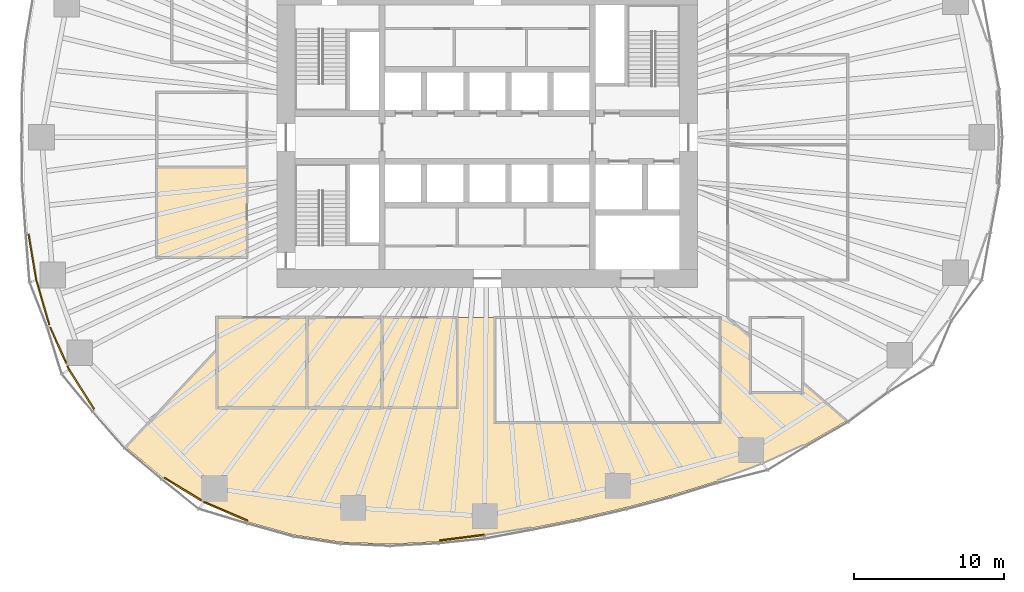
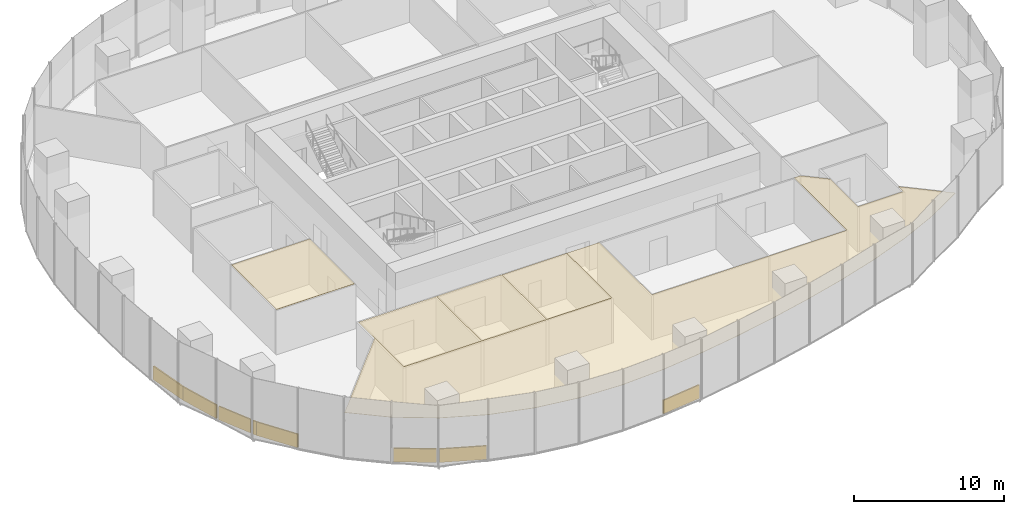
# One storey, part 17 of 20: 13 coverings.
"""IFC4 building model written with IfcOpenShell, lengths in metres."""

import ifcopenshell
import ifcopenshell.guid

model = None  # the IFC model being written
_history = None  # IfcOwnerHistory: only IFC2X3 demands one
_inside = {}  # id of a spatial element -> (the spatial element, [elements in it])
_under = {}  # id of a project, library or spatial element -> (it, [spatial elements below it])
_declared = {}  # id of a project -> (the project, [libraries it declares])
_typed = {}  # id of a type object -> (the type object, [elements of that type])
_made_of = {}  # id of a material, layer set ... -> (it, [elements and type objects made of it])


def new_model(schema):
    """Start an empty IFC model of exactly this schema.

    Asked for "IFC4X3", IfcOpenShell would pick the latest addendum, in which some entities
    have other attributes; the version numbers below select the first issue.
    IFC2X3 requires an IfcOwnerHistory on every rooted entity: one is made here for all.
    """
    global model, _history
    if schema == "IFC4X3":
        model = ifcopenshell.file(schema_version=(4, 3, 0, 0))
    else:
        model = ifcopenshell.file(schema=schema)
    _inside.clear()
    _under.clear()
    _declared.clear()
    _typed.clear()
    _made_of.clear()
    _history = None
    if model.schema == "IFC2X3":
        org = make("IfcOrganization", Name="unknown")
        user = make(
            "IfcPersonAndOrganization",
            ThePerson=make("IfcPerson", FamilyName="unknown"),
            TheOrganization=org,
        )
        app = make(
            "IfcApplication",
            ApplicationDeveloper=org,
            Version="unknown",
            ApplicationFullName="unknown",
            ApplicationIdentifier="unknown",
        )
        _history = make(
            "IfcOwnerHistory",
            OwningUser=user,
            OwningApplication=app,
            ChangeAction="ADDED",
            CreationDate=0,
        )
    return model


def make(cls, **values):
    """One entity of the class cls with the attributes given. An attribute that is None is left unset."""
    return model.create_entity(
        cls, **{name: value for name, value in values.items() if value is not None}
    )


def rooted(cls, **values):
    """An entity with a GlobalId (a new one), such as an element, a storey or a relation."""
    return make(cls, GlobalId=ifcopenshell.guid.new(), OwnerHistory=_history, **values)


def si_unit(unit_type, name, prefix=None):
    """IfcSIUnit, for example si_unit("LENGTHUNIT", "METRE", prefix="MILLI")."""
    return make("IfcSIUnit", UnitType=unit_type, Prefix=prefix, Name=name)


def assignment(units):
    """IfcUnitAssignment: the units of a project."""
    return None if units is None else make("IfcUnitAssignment", Units=units)


def point(xyz):
    """IfcCartesianPoint."""
    return None if xyz is None else make("IfcCartesianPoint", Coordinates=xyz)


def direction(xyz):
    """IfcDirection."""
    return None if xyz is None else make("IfcDirection", DirectionRatios=xyz)


def frame(location, z_axis=None, x_axis=None):
    """IfcAxis2Placement3D, a coordinate frame: its origin and axes. An axis left out is left unset."""
    return make(
        "IfcAxis2Placement3D",
        Location=point(location),
        Axis=direction(z_axis),
        RefDirection=direction(x_axis),
    )


def frame_2d(location, x_axis=None):
    """IfcAxis2Placement2D, a coordinate frame in the plane: its origin and x axis."""
    return make(
        "IfcAxis2Placement2D", Location=point(location), RefDirection=direction(x_axis)
    )


def origin():
    """The frame at (0, 0, 0) with its axes left unset."""
    return frame((0.0, 0.0, 0.0))


def origin_2d():
    """The frame at (0, 0) in the plane with its x axis left unset."""
    return frame_2d((0.0, 0.0))


def place(relative_to, where):
    """IfcLocalPlacement: puts the frame where relative to a parent placement (None: the world)."""
    return make(
        "IfcLocalPlacement", PlacementRelTo=relative_to, RelativePlacement=where
    )


def context(
    kind, dimensions, precision=None, world=None, true_north=None, identifier=None
):
    """IfcGeometricRepresentationContext, for example the 3D "Model" context."""
    return make(
        "IfcGeometricRepresentationContext",
        ContextIdentifier=identifier,
        ContextType=kind,
        CoordinateSpaceDimension=dimensions,
        Precision=precision,
        WorldCoordinateSystem=world,
        TrueNorth=true_north,
    )


def subcontext(parent, identifier, kind, view, scale=None):
    """IfcGeometricRepresentationSubContext, for example "Body" below "Model"."""
    return make(
        "IfcGeometricRepresentationSubContext",
        ContextIdentifier=identifier,
        ContextType=kind,
        ParentContext=parent,
        TargetScale=scale,
        TargetView=view,
    )


def project(units=None, contexts=None):
    """IfcProject with its units and contexts."""
    return rooted(
        "IfcProject",
        Name="project",
        RepresentationContexts=contexts,
        UnitsInContext=assignment(units),
    )


def spatial(cls, under=None, at=None, **own):
    """A site, building, storey or space (cls), placed at a placement, below another one or the project."""
    s = rooted(cls, ObjectPlacement=at, **own)
    if under is not None:
        _under.setdefault(under.id(), (under, []))[1].append(s)
    return s


def polyline(points):
    """IfcPolyline through the points."""
    return make("IfcPolyline", Points=[point(p) for p in points])


def profile(cls, at=None, kind="AREA", **sizes):
    """A parametric profile (cls). Its sizes go by their IFC names, for example OverallWidth=200.0."""
    return make(cls, ProfileType=kind, Position=at, **sizes)


def rectangle(**sizes):
    """IfcRectangleProfileDef."""
    return profile("IfcRectangleProfileDef", **sizes)


def outline(outer, holes=None, kind="AREA"):
    """IfcArbitraryClosedProfileDef: a profile drawn as a closed curve; with holes, ...WithVoids."""
    if holes is None:
        return make("IfcArbitraryClosedProfileDef", ProfileType=kind, OuterCurve=outer)
    return make(
        "IfcArbitraryProfileDefWithVoids",
        ProfileType=kind,
        OuterCurve=outer,
        InnerCurves=holes,
    )


def extrude(swept, where, along, depth):
    """IfcExtrudedAreaSolid: the profile swept, set in the frame where, extruded along a direction by depth."""
    return make(
        "IfcExtrudedAreaSolid",
        SweptArea=swept,
        Position=where,
        ExtrudedDirection=direction(along),
        Depth=depth,
    )


def shape(context_of_items, identifier, shape_type, items):
    """IfcShapeRepresentation: the items that make up one representation, for example the "Body"."""
    return make(
        "IfcShapeRepresentation",
        ContextOfItems=context_of_items,
        RepresentationIdentifier=identifier,
        RepresentationType=shape_type,
        Items=items,
    )


def material(Name=None, Category=None):
    """IfcMaterial."""
    return make("IfcMaterial", Name=Name, Category=Category)


def layer(
    of_material, thickness, ventilated=None, Name=None, Category=None, Priority=None
):
    """IfcMaterialLayer: one layer of a wall or slab, of a material (None: an air gap)."""
    return make(
        "IfcMaterialLayer",
        Material=of_material,
        LayerThickness=thickness,
        IsVentilated=ventilated,
        Name=Name,
        Category=Category,
        Priority=Priority,
    )


def layer_set(layers, Name=None):
    """IfcMaterialLayerSet."""
    return make("IfcMaterialLayerSet", MaterialLayers=layers, LayerSetName=Name)


def made_of(thing, what):
    """Note that an element or type object is made of a material, layer set ...; save() writes the relation."""
    if what is not None:
        _made_of.setdefault(what.id(), (what, []))[1].append(thing)
    return thing


def type_object(cls, material=None, **own):
    """A type object (cls), such as IfcWallType, which elements share."""
    return made_of(rooted(cls, **own), material)


def element(
    cls,
    number,
    at=None,
    inside=None,
    cuts=None,
    type_object=None,
    material=None,
    context=None,
    identifier="Body",
    shape_type=None,
    held_by="IfcProductDefinitionShape",
    body=None,
    shapes=None,
    **own,
):
    """One element of the class cls, such as IfcWall. Its Tag is "e" and its number.

    at: its placement. inside: the storey or other place that contains it. cuts: it is an
    opening in that element (IfcRelVoidsElement). A single representation is given by context,
    identifier, shape_type and body (its items); several are given by shapes. held_by: the class
    of the entity that holds the representations. save() writes the other relations.
    """
    e = rooted(cls, Tag="e%d" % number, ObjectPlacement=at, **own)
    if body is not None:
        shapes = [shape(context, identifier, shape_type, body)]
    if shapes is not None:
        e.Representation = make(held_by, Representations=shapes)
    if inside is not None:
        _inside.setdefault(inside.id(), (inside, []))[1].append(e)
    if cuts is not None:
        rooted(
            "IfcRelVoidsElement", RelatingBuildingElement=cuts, RelatedOpeningElement=e
        )
    if type_object is not None:
        _typed.setdefault(type_object.id(), (type_object, []))[1].append(e)
    return made_of(e, material)


def aggregate(whole, parts):
    """IfcRelAggregates: a whole, such as a stair, and the parts it consists of."""
    return rooted("IfcRelAggregates", RelatingObject=whole, RelatedObjects=parts)


def save(model, path):
    """Write the relations noted so far, then the file.

    IfcRelAggregates (storeys below a building ...), IfcRelContainedInSpatialStructure (elements
    in a storey), IfcRelDefinesByType, IfcRelAssociatesMaterial and IfcRelDeclares: one each for
    every whole, place, type object, material and project.
    """
    for whole, parts in _under.values():
        aggregate(whole, parts)
    for where, things in _inside.values():
        rooted(
            "IfcRelContainedInSpatialStructure",
            RelatedElements=things,
            RelatingStructure=where,
        )
    for kind, things in _typed.values():
        rooted("IfcRelDefinesByType", RelatedObjects=things, RelatingType=kind)
    for what, things in _made_of.values():
        rooted("IfcRelAssociatesMaterial", RelatedObjects=things, RelatingMaterial=what)
    for by, libraries in _declared.values():
        rooted("IfcRelDeclares", RelatingContext=by, RelatedDefinitions=libraries)
    model.write(path)


model = new_model("IFC4")

# Units and contexts
model_context = context("Model", 3, precision=1e-05, world=origin(), true_north=direction((0.0, 1.0)))
body_context = subcontext(model_context, "Body", "Model", "MODEL_VIEW")
ifc_project = project(units=[si_unit("LENGTHUNIT", "METRE"), si_unit("AREAUNIT", "SQUARE_METRE"), si_unit("VOLUMEUNIT", "CUBIC_METRE"), si_unit("PLANEANGLEUNIT", "RADIAN"), si_unit("MASSUNIT", "GRAM", prefix="KILO")], contexts=[model_context])

# Site, building, storey
site_placement = place(None, origin())
site = spatial("IfcSite", under=ifc_project, at=site_placement, CompositionType="ELEMENT")
building_placement = place(site_placement, origin())
building = spatial("IfcBuilding", under=site, at=building_placement, Name="Ghaith Harvest Tower", CompositionType="ELEMENT")
storey_placement = place(building_placement, frame((0.0, 0.0, 65.0)))
storey = spatial("IfcBuildingStorey", under=building, at=storey_placement, Name="L13", CompositionType="ELEMENT", Elevation=65.0)

# Coverings
ifc_material_1 = material(Name="Mineral fibre ceiling tile", Category="gypsum")
ifc_layer_1 = layer(ifc_material_1, 0.02490234375)
ifc_layer_set_1 = layer_set([ifc_layer_1], Name="CEILING C2")
covering_type_1 = type_object("IfcCoveringType", Name="CEILING C2", PredefinedType="CEILING", material=ifc_layer_set_1)
covering_1_placement = place(storey_placement, frame((0.0, 0.0, 3.60009765625)))
element("IfcCovering", 1, at=covering_1_placement, inside=storey, type_object=covering_type_1, Name="Ceiling L13-07", PredefinedType="CEILING", context=body_context, shape_type="SweptSolid", body=[
    extrude(outline(polyline([(-22.0, -8.0), (-16.0, -8.0), (-16.0, -2.0), (-22.0, -2.0), (-22.0, -8.0)])), origin(), (0.0, 0.0, 1.0), 0.02490234375),
])
covering_2_placement = place(storey_placement, frame((0.0, 0.0, 3.60009765625)))
element("IfcCovering", 2, at=covering_2_placement, inside=storey, type_object=covering_type_1, Name="Ceiling L13-09", PredefinedType="CEILING", context=body_context, shape_type="SweptSolid", body=[
    extrude(outline(polyline([(-18.0, -18.0), (-12.0, -18.0), (-12.0, -12.0), (-18.0, -12.0), (-18.0, -18.0)])), origin(), (0.0, 0.0, 1.0), 0.02490234375),
])
covering_3_placement = place(storey_placement, frame((0.0, 0.0, 3.60009765625)))
element("IfcCovering", 3, at=covering_3_placement, inside=storey, type_object=covering_type_1, Name="Ceiling L13-10", PredefinedType="CEILING", context=body_context, shape_type="SweptSolid", body=[
    extrude(outline(polyline([(-12.0, -18.0), (-7.0, -18.0), (-7.0, -12.0), (-12.0, -12.0), (-12.0, -18.0)])), origin(), (0.0, 0.0, 1.0), 0.02490234375),
])
covering_4_placement = place(storey_placement, frame((0.0, 0.0, 3.60009765625)))
element("IfcCovering", 4, at=covering_4_placement, inside=storey, type_object=covering_type_1, Name="Ceiling L13-11", PredefinedType="CEILING", context=body_context, shape_type="SweptSolid", body=[
    extrude(outline(polyline([(-7.0, -18.0), (-2.0, -18.0), (-2.0, -12.0), (-7.0, -12.0), (-7.0, -18.0)])), origin(), (0.0, 0.0, 1.0), 0.02490234375),
])
covering_5_placement = place(storey_placement, frame((0.0, 0.0, 3.60009765625)))
element("IfcCovering", 5, at=covering_5_placement, inside=storey, type_object=covering_type_1, Name="Ceiling L13-S1", PredefinedType="CEILING", context=body_context, shape_type="SweptSolid", body=[
    extrude(outline(polyline([(-12.828125, -26.476806640625), (-15.907958984375, -25.614501953125), (-18.8935546875, -24.32763671875), (-21.59912109375, -22.671142578125), (-24.04833984375, -20.618408203125), (-18.0, -14.1416015625), (-18.0, -18.0), (-2.0, -18.0), (-2.0, -12.0), (0.5, -12.0), (0.5, -19.0), (15.5, -19.0), (15.5, -12.0), (16.0, -12.0), (17.5, -13.301025390625), (17.5, -17.0), (21.0, -17.0), (21.0, -16.336669921875), (23.92431640625, -18.873046875), (21.149169921875, -20.469482421875), (18.34521484375, -21.7548828125), (15.22119140625, -22.916259765625), (12.1796875, -23.857666015625), (9.21533203125, -24.65087890625), (6.10888671875, -25.378662109375), (2.99560546875, -26.004150390625), (-0.181396484375, -26.527099609375), (-3.24755859375, -26.91064453125), (-6.4375, -27.0849609375), (-9.733642578125, -26.949951171875), (-12.828125, -26.476806640625)])), origin(), (0.0, 0.0, 1.0), 0.02490234375),
])
ifc_material_2 = material(Name="Insulated aluminium spandrel panel on steel framing", Category="steel")
ifc_layer_2 = layer(ifc_material_2, 0.10009765625)
ifc_layer_set_2 = layer_set([ifc_layer_2], Name="SLAB EDGE UPSTAND 1100x100")
covering_type_2 = type_object("IfcCoveringType", Name="SLAB EDGE UPSTAND 1100x100", PredefinedType="CLADDING", material=ifc_layer_set_2)
covering_6_placement = place(storey_placement, frame((-30.28271484375, -7.982177734375, 0.0), z_axis=(0.0, 0.0, 1.0), x_axis=(0.165246181786, -0.986252350773, 0.0)))
element("IfcCovering", 6, at=covering_6_placement, inside=storey, type_object=covering_type_2, Name="Slab edge upstand 3 bay 11 L13", PredefinedType="CLADDING", context=body_context, shape_type="SweptSolid", body=[
    extrude(rectangle(XDim=3.124267578125, YDim=0.10009765625, at=origin_2d()), origin(), (0.0, 0.0, 1.0), 1.10009765625),
])
covering_7_placement = place(storey_placement, frame((-29.593994140625, -10.997314453125, 0.0), z_axis=(0.0, 0.0, 1.0), x_axis=(0.280032411303, -0.95999054611, 0.0)))
element("IfcCovering", 7, at=covering_7_placement, inside=storey, type_object=covering_type_2, Name="Slab edge upstand 1 bay 12 L13", PredefinedType="CLADDING", context=body_context, shape_type="SweptSolid", body=[
    extrude(rectangle(XDim=3.084228515625, YDim=0.10009765625, at=origin_2d()), origin(), (0.0, 0.0, 1.0), 1.10009765625),
])
covering_8_placement = place(storey_placement, frame((-28.56689453125, -13.84619140625, 0.0), z_axis=(0.0, 0.0, 1.0), x_axis=(0.407003427802, -0.913426630747, 0.0)))
element("IfcCovering", 8, at=covering_8_placement, inside=storey, type_object=covering_type_2, Name="Slab edge upstand 2 bay 12 L13", PredefinedType="CLADDING", context=body_context, shape_type="SweptSolid", body=[
    extrude(rectangle(XDim=2.60009765625, YDim=0.10009765625, at=origin_2d()), origin(), (0.0, 0.0, 1.0), 1.10009765625),
])
covering_9_placement = place(storey_placement, frame((-27.89501953125, -15.35400390625, 0.0), z_axis=(0.0, 0.0, 1.0), x_axis=(0.407003427802, -0.913426630747, 0.0)))
element("IfcCovering", 9, at=covering_9_placement, inside=storey, type_object=covering_type_2, Name="Slab edge upstand 2 bay 12 L13", PredefinedType="CLADDING", context=body_context, shape_type="SweptSolid", body=[
    extrude(rectangle(XDim=0.29052734375, YDim=0.10009765625, at=origin_2d()), origin(), (0.0, 0.0, 1.0), 1.10009765625),
])
covering_10_placement = place(storey_placement, frame((-27.0078125, -16.787353515625, 0.0), z_axis=(0.0, 0.0, 1.0), x_axis=(0.536807372204, -0.843704832952, 0.0)))
element("IfcCovering", 10, at=covering_10_placement, inside=storey, type_object=covering_type_2, Name="Slab edge upstand 3 bay 12 L13", PredefinedType="CLADDING", context=body_context, shape_type="SweptSolid", body=[
    extrude(rectangle(XDim=3.098388671875, YDim=0.10009765625, at=origin_2d()), origin(), (0.0, 0.0, 1.0), 1.10009765625),
])
covering_11_placement = place(storey_placement, frame((-20.265869140625, -23.4287109375, 0.0), z_axis=(0.0, 0.0, 1.0), x_axis=(0.852846651269, -0.522161459148, 0.0)))
element("IfcCovering", 11, at=covering_11_placement, inside=storey, type_object=covering_type_2, Name="Slab edge upstand 3 bay 13 L13", PredefinedType="CLADDING", context=body_context, shape_type="SweptSolid", body=[
    extrude(rectangle(XDim=2.864990234375, YDim=0.10009765625, at=origin_2d()), origin(), (0.0, 0.0, 1.0), 1.10009765625),
])
covering_12_placement = place(storey_placement, frame((-17.421875, -24.907470703125, 0.0), z_axis=(0.0, 0.0, 1.0), x_axis=(0.918306928324, -0.395869151856, 0.0)))
element("IfcCovering", 12, at=covering_12_placement, inside=storey, type_object=covering_type_2, Name="Slab edge upstand 1 bay 14 L13", PredefinedType="CLADDING", context=body_context, shape_type="SweptSolid", body=[
    extrude(rectangle(XDim=3.140380859375, YDim=0.10009765625, at=origin_2d()), origin(), (0.0, 0.0, 1.0), 1.10009765625),
])
covering_13_placement = place(storey_placement, frame((-1.671142578125, -26.6630859375, 0.0), z_axis=(0.0, 0.0, 1.0), x_axis=(0.992264868881, 0.124138752952, 0.0)))
element("IfcCovering", 13, at=covering_13_placement, inside=storey, type_object=covering_type_2, Name="Slab edge upstand 3 bay 15 L13", PredefinedType="CLADDING", context=body_context, shape_type="SweptSolid", body=[
    extrude(rectangle(XDim=2.98974609375, YDim=0.10009765625, at=origin_2d()), origin(), (0.0, 0.0, 1.0), 1.10009765625),
])

save(model, "model.ifc")
